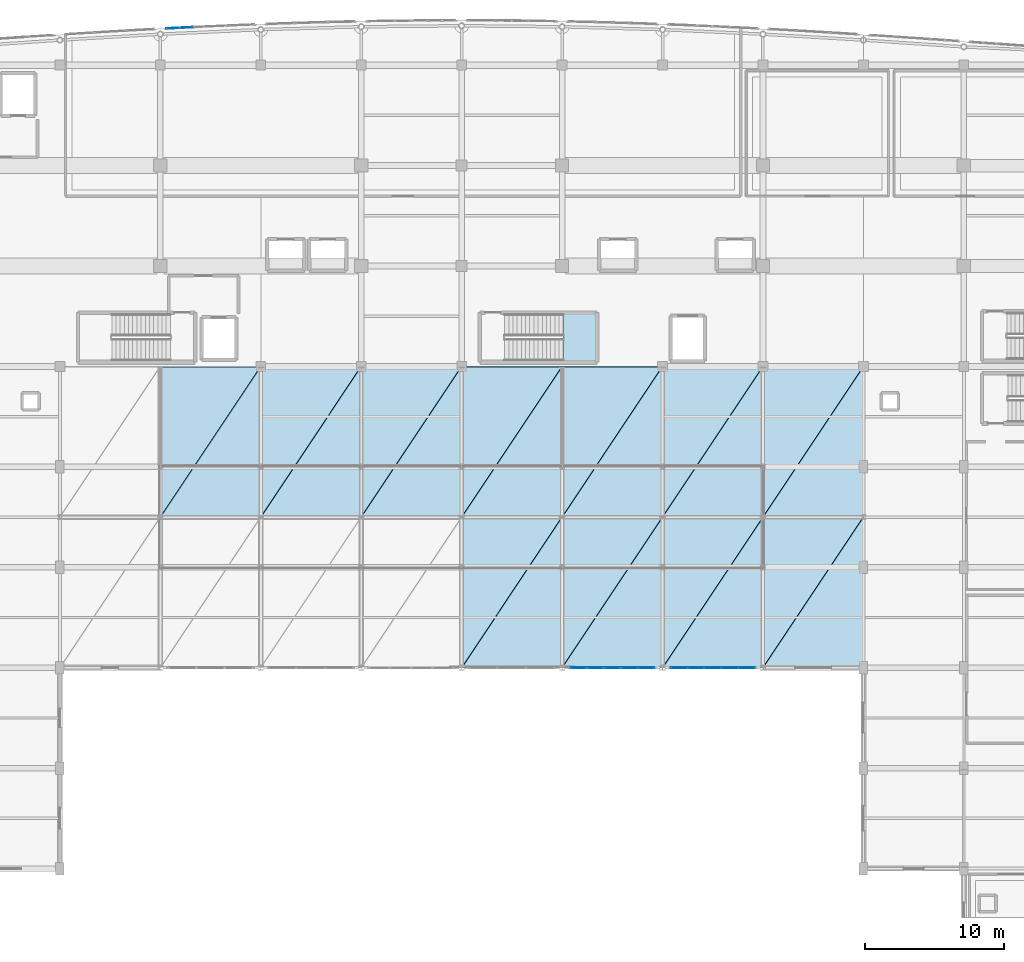
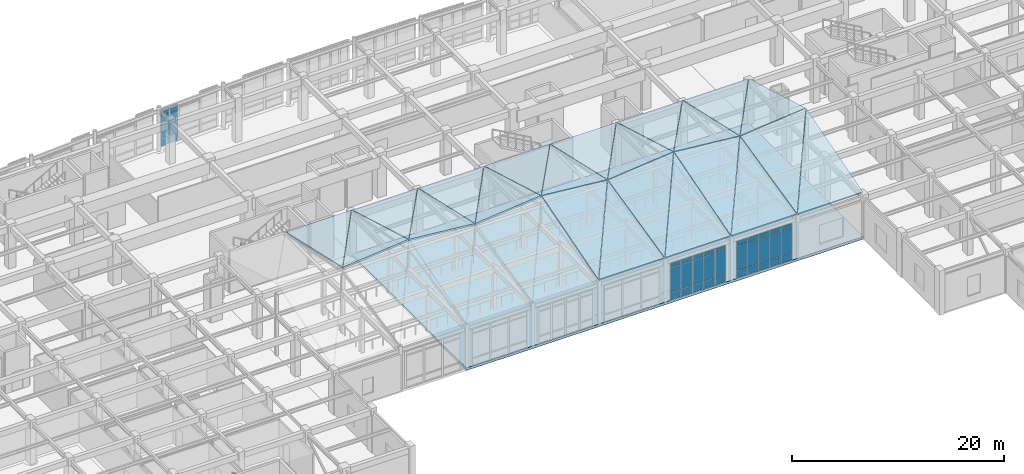
# One storey, part 74 of 117: 36 plates, 24 slabs, 4 elements without a shape of their own.
"""IFC4 building model written with IfcOpenShell, lengths in metres."""

import ifcopenshell
import ifcopenshell.guid

model = None  # the IFC model being written
_history = None  # IfcOwnerHistory: only IFC2X3 demands one
_inside = {}  # id of a spatial element -> (the spatial element, [elements in it])
_under = {}  # id of a project, library or spatial element -> (it, [spatial elements below it])
_declared = {}  # id of a project -> (the project, [libraries it declares])
_typed = {}  # id of a type object -> (the type object, [elements of that type])
_made_of = {}  # id of a material, layer set ... -> (it, [elements and type objects made of it])


def new_model(schema):
    """Start an empty IFC model of exactly this schema.

    Asked for "IFC4X3", IfcOpenShell would pick the latest addendum, in which some entities
    have other attributes; the version numbers below select the first issue.
    IFC2X3 requires an IfcOwnerHistory on every rooted entity: one is made here for all.
    """
    global model, _history
    if schema == "IFC4X3":
        model = ifcopenshell.file(schema_version=(4, 3, 0, 0))
    else:
        model = ifcopenshell.file(schema=schema)
    _inside.clear()
    _under.clear()
    _declared.clear()
    _typed.clear()
    _made_of.clear()
    _history = None
    if model.schema == "IFC2X3":
        org = make("IfcOrganization", Name="unknown")
        user = make(
            "IfcPersonAndOrganization",
            ThePerson=make("IfcPerson", FamilyName="unknown"),
            TheOrganization=org,
        )
        app = make(
            "IfcApplication",
            ApplicationDeveloper=org,
            Version="unknown",
            ApplicationFullName="unknown",
            ApplicationIdentifier="unknown",
        )
        _history = make(
            "IfcOwnerHistory",
            OwningUser=user,
            OwningApplication=app,
            ChangeAction="ADDED",
            CreationDate=0,
        )
    return model


def make(cls, **values):
    """One entity of the class cls with the attributes given. An attribute that is None is left unset."""
    return model.create_entity(
        cls, **{name: value for name, value in values.items() if value is not None}
    )


def rooted(cls, **values):
    """An entity with a GlobalId (a new one), such as an element, a storey or a relation."""
    return make(cls, GlobalId=ifcopenshell.guid.new(), OwnerHistory=_history, **values)


def si_unit(unit_type, name, prefix=None):
    """IfcSIUnit, for example si_unit("LENGTHUNIT", "METRE", prefix="MILLI")."""
    return make("IfcSIUnit", UnitType=unit_type, Prefix=prefix, Name=name)


def assignment(units):
    """IfcUnitAssignment: the units of a project."""
    return None if units is None else make("IfcUnitAssignment", Units=units)


def point(xyz):
    """IfcCartesianPoint."""
    return None if xyz is None else make("IfcCartesianPoint", Coordinates=xyz)


def direction(xyz):
    """IfcDirection."""
    return None if xyz is None else make("IfcDirection", DirectionRatios=xyz)


def frame(location, z_axis=None, x_axis=None):
    """IfcAxis2Placement3D, a coordinate frame: its origin and axes. An axis left out is left unset."""
    return make(
        "IfcAxis2Placement3D",
        Location=point(location),
        Axis=direction(z_axis),
        RefDirection=direction(x_axis),
    )


def frame_2d(location, x_axis=None):
    """IfcAxis2Placement2D, a coordinate frame in the plane: its origin and x axis."""
    return make(
        "IfcAxis2Placement2D", Location=point(location), RefDirection=direction(x_axis)
    )


def origin():
    """The frame at (0, 0, 0) with its axes left unset."""
    return frame((0.0, 0.0, 0.0))


def origin_2d():
    """The frame at (0, 0) in the plane with its x axis left unset."""
    return frame_2d((0.0, 0.0))


def place(relative_to, where):
    """IfcLocalPlacement: puts the frame where relative to a parent placement (None: the world)."""
    return make(
        "IfcLocalPlacement", PlacementRelTo=relative_to, RelativePlacement=where
    )


def context(
    kind, dimensions, precision=None, world=None, true_north=None, identifier=None
):
    """IfcGeometricRepresentationContext, for example the 3D "Model" context."""
    return make(
        "IfcGeometricRepresentationContext",
        ContextIdentifier=identifier,
        ContextType=kind,
        CoordinateSpaceDimension=dimensions,
        Precision=precision,
        WorldCoordinateSystem=world,
        TrueNorth=true_north,
    )


def subcontext(parent, identifier, kind, view, scale=None):
    """IfcGeometricRepresentationSubContext, for example "Body" below "Model"."""
    return make(
        "IfcGeometricRepresentationSubContext",
        ContextIdentifier=identifier,
        ContextType=kind,
        ParentContext=parent,
        TargetScale=scale,
        TargetView=view,
    )


def project(units=None, contexts=None):
    """IfcProject with its units and contexts."""
    return rooted(
        "IfcProject",
        Name="project",
        RepresentationContexts=contexts,
        UnitsInContext=assignment(units),
    )


def spatial(cls, under=None, at=None, **own):
    """A site, building, storey or space (cls), placed at a placement, below another one or the project."""
    s = rooted(cls, ObjectPlacement=at, **own)
    if under is not None:
        _under.setdefault(under.id(), (under, []))[1].append(s)
    return s


def polyline(points):
    """IfcPolyline through the points."""
    return make("IfcPolyline", Points=[point(p) for p in points])


def profile(cls, at=None, kind="AREA", **sizes):
    """A parametric profile (cls). Its sizes go by their IFC names, for example OverallWidth=200.0."""
    return make(cls, ProfileType=kind, Position=at, **sizes)


def rectangle(**sizes):
    """IfcRectangleProfileDef."""
    return profile("IfcRectangleProfileDef", **sizes)


def outline(outer, holes=None, kind="AREA"):
    """IfcArbitraryClosedProfileDef: a profile drawn as a closed curve; with holes, ...WithVoids."""
    if holes is None:
        return make("IfcArbitraryClosedProfileDef", ProfileType=kind, OuterCurve=outer)
    return make(
        "IfcArbitraryProfileDefWithVoids",
        ProfileType=kind,
        OuterCurve=outer,
        InnerCurves=holes,
    )


def extrude(swept, where, along, depth):
    """IfcExtrudedAreaSolid: the profile swept, set in the frame where, extruded along a direction by depth."""
    return make(
        "IfcExtrudedAreaSolid",
        SweptArea=swept,
        Position=where,
        ExtrudedDirection=direction(along),
        Depth=depth,
    )


def shape(context_of_items, identifier, shape_type, items):
    """IfcShapeRepresentation: the items that make up one representation, for example the "Body"."""
    return make(
        "IfcShapeRepresentation",
        ContextOfItems=context_of_items,
        RepresentationIdentifier=identifier,
        RepresentationType=shape_type,
        Items=items,
    )


def material(Name=None, Category=None):
    """IfcMaterial."""
    return make("IfcMaterial", Name=Name, Category=Category)


def layer(
    of_material, thickness, ventilated=None, Name=None, Category=None, Priority=None
):
    """IfcMaterialLayer: one layer of a wall or slab, of a material (None: an air gap)."""
    return make(
        "IfcMaterialLayer",
        Material=of_material,
        LayerThickness=thickness,
        IsVentilated=ventilated,
        Name=Name,
        Category=Category,
        Priority=Priority,
    )


def layer_set(layers, Name=None):
    """IfcMaterialLayerSet."""
    return make("IfcMaterialLayerSet", MaterialLayers=layers, LayerSetName=Name)


def made_of(thing, what):
    """Note that an element or type object is made of a material, layer set ...; save() writes the relation."""
    if what is not None:
        _made_of.setdefault(what.id(), (what, []))[1].append(thing)
    return thing


def type_object(cls, material=None, **own):
    """A type object (cls), such as IfcWallType, which elements share."""
    return made_of(rooted(cls, **own), material)


def element(
    cls,
    number,
    at=None,
    inside=None,
    cuts=None,
    type_object=None,
    material=None,
    context=None,
    identifier="Body",
    shape_type=None,
    held_by="IfcProductDefinitionShape",
    body=None,
    shapes=None,
    **own,
):
    """One element of the class cls, such as IfcWall. Its Tag is "e" and its number.

    at: its placement. inside: the storey or other place that contains it. cuts: it is an
    opening in that element (IfcRelVoidsElement). A single representation is given by context,
    identifier, shape_type and body (its items); several are given by shapes. held_by: the class
    of the entity that holds the representations. save() writes the other relations.
    """
    e = rooted(cls, Tag="e%d" % number, ObjectPlacement=at, **own)
    if body is not None:
        shapes = [shape(context, identifier, shape_type, body)]
    if shapes is not None:
        e.Representation = make(held_by, Representations=shapes)
    if inside is not None:
        _inside.setdefault(inside.id(), (inside, []))[1].append(e)
    if cuts is not None:
        rooted(
            "IfcRelVoidsElement", RelatingBuildingElement=cuts, RelatedOpeningElement=e
        )
    if type_object is not None:
        _typed.setdefault(type_object.id(), (type_object, []))[1].append(e)
    return made_of(e, material)


def aggregate(whole, parts):
    """IfcRelAggregates: a whole, such as a stair, and the parts it consists of."""
    return rooted("IfcRelAggregates", RelatingObject=whole, RelatedObjects=parts)


def save(model, path):
    """Write the relations noted so far, then the file.

    IfcRelAggregates (storeys below a building ...), IfcRelContainedInSpatialStructure (elements
    in a storey), IfcRelDefinesByType, IfcRelAssociatesMaterial and IfcRelDeclares: one each for
    every whole, place, type object, material and project.
    """
    for whole, parts in _under.values():
        aggregate(whole, parts)
    for where, things in _inside.values():
        rooted(
            "IfcRelContainedInSpatialStructure",
            RelatedElements=things,
            RelatingStructure=where,
        )
    for kind, things in _typed.values():
        rooted("IfcRelDefinesByType", RelatedObjects=things, RelatingType=kind)
    for what, things in _made_of.values():
        rooted("IfcRelAssociatesMaterial", RelatedObjects=things, RelatingMaterial=what)
    for by, libraries in _declared.values():
        rooted("IfcRelDeclares", RelatingContext=by, RelatedDefinitions=libraries)
    model.write(path)


model = new_model("IFC4")

# Units and contexts
model_context = context("Model", 3, precision=1e-05, world=origin(), true_north=direction((0.0, 1.0)))
body_context = subcontext(model_context, "Body", "Model", "MODEL_VIEW")
ifc_project = project(units=[si_unit("LENGTHUNIT", "METRE"), si_unit("AREAUNIT", "SQUARE_METRE"), si_unit("VOLUMEUNIT", "CUBIC_METRE"), si_unit("PLANEANGLEUNIT", "RADIAN"), si_unit("MASSUNIT", "GRAM", prefix="KILO")], contexts=[model_context])

# Site, building, storey
site_placement = place(None, origin())
site = spatial("IfcSite", under=ifc_project, at=site_placement, CompositionType="ELEMENT")
building_placement = place(site_placement, origin())
building = spatial("IfcBuilding", under=site, at=building_placement, Name="Carrowvane Square Congress Hotel", CompositionType="ELEMENT")
storey_placement = place(building_placement, frame((0.0, 0.0, 5.39990234375)))
storey = spatial("IfcBuildingStorey", under=building, at=storey_placement, Name="L01", CompositionType="ELEMENT", Elevation=5.39990234375)

# Curtain wall, plates
ifc_material_1 = material(Name="Anodised aluminium", Category="aluminium")
ifc_layer_1 = layer(ifc_material_1, 0.23388671875)
ifc_layer_set_1 = layer_set([ifc_layer_1], Name="Anodised aluminium")
curtain_wall_type_1 = type_object("IfcCurtainWallType", Name="CW-SYS-7", PredefinedType="NOTDEFINED", material=ifc_layer_set_1)
curtain_wall_1_placement = place(storey_placement, origin())
curtain_wall_1 = element("IfcCurtainWall", 1, at=curtain_wall_1_placement, inside=storey, type_object=curtain_wall_type_1, Name="L01 unitised curtain wall 118", PredefinedType="NOTDEFINED")
ifc_material_2 = material(Name="Double-glazed low-E glass", Category="glass")
ifc_layer_2 = layer(ifc_material_2, 0.0419921875)
ifc_layer_set_2 = layer_set([ifc_layer_2], Name="Double-glazed low-E glass")
plate_type_1 = type_object("IfcPlateType", Name="CW-PAN-4", PredefinedType="CURTAIN_PANEL", material=ifc_layer_set_2)
plate_1_placement = place(storey_placement, frame((118.43310546875, 70.199951171875, 0.06005859375), z_axis=(0.0, 0.0, 1.0), x_axis=(-1.0, 0.0, 0.0)))
plate_1 = element("IfcPlate", 2, at=plate_1_placement, type_object=plate_type_1, Name="CW-7 panel 1.1", PredefinedType="CURTAIN_PANEL", context=body_context, shape_type="SweptSolid", body=[
    extrude(rectangle(XDim=1.134033203125, YDim=0.0419921875, at=origin_2d()), origin(), (0.0, 0.0, 1.0), 0.81005859375),
])
plate_2_placement = place(storey_placement, frame((118.43310546875, 70.199951171875, 0.93017578125), z_axis=(0.0, 0.0, 1.0), x_axis=(-1.0, 0.0, 0.0)))
plate_2 = element("IfcPlate", 3, at=plate_2_placement, type_object=plate_type_1, Name="CW-7 panel 1.2", PredefinedType="CURTAIN_PANEL", context=body_context, shape_type="SweptSolid", body=[
    extrude(rectangle(XDim=1.134033203125, YDim=0.0419921875, at=origin_2d()), origin(), (0.0, 0.0, 1.0), 2.794921875),
])
plate_3_placement = place(storey_placement, frame((118.43310546875, 70.199951171875, 3.78515625), z_axis=(0.0, 0.0, 1.0), x_axis=(-1.0, 0.0, 0.0)))
plate_3 = element("IfcPlate", 4, at=plate_3_placement, type_object=plate_type_1, Name="CW-7 panel 1.3", PredefinedType="CURTAIN_PANEL", context=body_context, shape_type="SweptSolid", body=[
    extrude(rectangle(XDim=1.134033203125, YDim=0.0419921875, at=origin_2d()), origin(), (0.0, 0.0, 1.0), 0.4599609375),
])
plate_4_placement = place(storey_placement, frame((117.22412109375, 70.199951171875, 0.06005859375), z_axis=(0.0, 0.0, 1.0), x_axis=(-1.0, 0.0, 0.0)))
plate_4 = element("IfcPlate", 5, at=plate_4_placement, type_object=plate_type_1, Name="CW-7 panel 2.1", PredefinedType="CURTAIN_PANEL", context=body_context, shape_type="SweptSolid", body=[
    extrude(rectangle(XDim=1.1640625, YDim=0.0419921875, at=origin_2d()), origin(), (0.0, 0.0, 1.0), 0.81005859375),
])
plate_5_placement = place(storey_placement, frame((117.22412109375, 70.199951171875, 0.93017578125), z_axis=(0.0, 0.0, 1.0), x_axis=(-1.0, 0.0, 0.0)))
plate_5 = element("IfcPlate", 6, at=plate_5_placement, type_object=plate_type_1, Name="CW-7 panel 2.2", PredefinedType="CURTAIN_PANEL", context=body_context, shape_type="SweptSolid", body=[
    extrude(rectangle(XDim=1.1640625, YDim=0.0419921875, at=origin_2d()), origin(), (0.0, 0.0, 1.0), 2.794921875),
])
plate_6_placement = place(storey_placement, frame((117.22412109375, 70.199951171875, 3.78515625), z_axis=(0.0, 0.0, 1.0), x_axis=(-1.0, 0.0, 0.0)))
plate_6 = element("IfcPlate", 7, at=plate_6_placement, type_object=plate_type_1, Name="CW-7 panel 2.3", PredefinedType="CURTAIN_PANEL", context=body_context, shape_type="SweptSolid", body=[
    extrude(rectangle(XDim=1.1640625, YDim=0.0419921875, at=origin_2d()), origin(), (0.0, 0.0, 1.0), 0.4599609375),
])
plate_7_placement = place(storey_placement, frame((116.0, 70.199951171875, 0.06005859375), z_axis=(0.0, 0.0, 1.0), x_axis=(-1.0, 0.0, 0.0)))
plate_7 = element("IfcPlate", 8, at=plate_7_placement, type_object=plate_type_1, Name="CW-7 panel 3.1", PredefinedType="CURTAIN_PANEL", context=body_context, shape_type="SweptSolid", body=[
    extrude(rectangle(XDim=1.1640625, YDim=0.0419921875, at=origin_2d()), origin(), (0.0, 0.0, 1.0), 0.81005859375),
])
plate_8_placement = place(storey_placement, frame((116.0, 70.199951171875, 0.93017578125), z_axis=(0.0, 0.0, 1.0), x_axis=(-1.0, 0.0, 0.0)))
plate_8 = element("IfcPlate", 9, at=plate_8_placement, type_object=plate_type_1, Name="CW-7 panel 3.2", PredefinedType="CURTAIN_PANEL", context=body_context, shape_type="SweptSolid", body=[
    extrude(rectangle(XDim=1.1640625, YDim=0.0419921875, at=origin_2d()), origin(), (0.0, 0.0, 1.0), 2.794921875),
])
plate_9_placement = place(storey_placement, frame((116.0, 70.199951171875, 3.78515625), z_axis=(0.0, 0.0, 1.0), x_axis=(-1.0, 0.0, 0.0)))
plate_9 = element("IfcPlate", 10, at=plate_9_placement, type_object=plate_type_1, Name="CW-7 panel 3.3", PredefinedType="CURTAIN_PANEL", context=body_context, shape_type="SweptSolid", body=[
    extrude(rectangle(XDim=1.1640625, YDim=0.0419921875, at=origin_2d()), origin(), (0.0, 0.0, 1.0), 0.4599609375),
])
plate_10_placement = place(storey_placement, frame((114.77587890625, 70.199951171875, 0.06005859375), z_axis=(0.0, 0.0, 1.0), x_axis=(-1.0, 0.0, 0.0)))
plate_10 = element("IfcPlate", 11, at=plate_10_placement, type_object=plate_type_1, Name="CW-7 panel 4.1", PredefinedType="CURTAIN_PANEL", context=body_context, shape_type="SweptSolid", body=[
    extrude(rectangle(XDim=1.1640625, YDim=0.0419921875, at=origin_2d()), origin(), (0.0, 0.0, 1.0), 0.81005859375),
])
plate_11_placement = place(storey_placement, frame((114.77587890625, 70.199951171875, 0.93017578125), z_axis=(0.0, 0.0, 1.0), x_axis=(-1.0, 0.0, 0.0)))
plate_11 = element("IfcPlate", 12, at=plate_11_placement, type_object=plate_type_1, Name="CW-7 panel 4.2", PredefinedType="CURTAIN_PANEL", context=body_context, shape_type="SweptSolid", body=[
    extrude(rectangle(XDim=1.1640625, YDim=0.0419921875, at=origin_2d()), origin(), (0.0, 0.0, 1.0), 2.794921875),
])
plate_12_placement = place(storey_placement, frame((114.77587890625, 70.199951171875, 3.78515625), z_axis=(0.0, 0.0, 1.0), x_axis=(-1.0, 0.0, 0.0)))
plate_12 = element("IfcPlate", 13, at=plate_12_placement, type_object=plate_type_1, Name="CW-7 panel 4.3", PredefinedType="CURTAIN_PANEL", context=body_context, shape_type="SweptSolid", body=[
    extrude(rectangle(XDim=1.1640625, YDim=0.0419921875, at=origin_2d()), origin(), (0.0, 0.0, 1.0), 0.4599609375),
])
plate_13_placement = place(storey_placement, frame((113.56689453125, 70.199951171875, 0.06005859375), z_axis=(0.0, 0.0, 1.0), x_axis=(-1.0, 0.0, 0.0)))
plate_13 = element("IfcPlate", 14, at=plate_13_placement, type_object=plate_type_1, Name="CW-7 panel 5.1", PredefinedType="CURTAIN_PANEL", context=body_context, shape_type="SweptSolid", body=[
    extrude(rectangle(XDim=1.134033203125, YDim=0.0419921875, at=origin_2d()), origin(), (0.0, 0.0, 1.0), 0.81005859375),
])
plate_14_placement = place(storey_placement, frame((113.56689453125, 70.199951171875, 0.93017578125), z_axis=(0.0, 0.0, 1.0), x_axis=(-1.0, 0.0, 0.0)))
plate_14 = element("IfcPlate", 15, at=plate_14_placement, type_object=plate_type_1, Name="CW-7 panel 5.2", PredefinedType="CURTAIN_PANEL", context=body_context, shape_type="SweptSolid", body=[
    extrude(rectangle(XDim=1.134033203125, YDim=0.0419921875, at=origin_2d()), origin(), (0.0, 0.0, 1.0), 2.794921875),
])
plate_15_placement = place(storey_placement, frame((113.56689453125, 70.199951171875, 3.78515625), z_axis=(0.0, 0.0, 1.0), x_axis=(-1.0, 0.0, 0.0)))
plate_15 = element("IfcPlate", 16, at=plate_15_placement, type_object=plate_type_1, Name="CW-7 panel 5.3", PredefinedType="CURTAIN_PANEL", context=body_context, shape_type="SweptSolid", body=[
    extrude(rectangle(XDim=1.134033203125, YDim=0.0419921875, at=origin_2d()), origin(), (0.0, 0.0, 1.0), 0.4599609375),
])
aggregate(curtain_wall_1, [plate_1, plate_2, plate_3, plate_4, plate_5, plate_6, plate_7, plate_8, plate_9, plate_10, plate_11, plate_12, plate_13, plate_14, plate_15])

ifc_material_3 = material(Name="Anodised aluminium", Category="aluminium")
ifc_layer_3 = layer(ifc_material_3, 0.24609375)
ifc_layer_set_3 = layer_set([ifc_layer_3], Name="Anodised aluminium")
curtain_wall_type_2 = type_object("IfcCurtainWallType", Name="CW-SYS-8", PredefinedType="NOTDEFINED", material=ifc_layer_set_3)
curtain_wall_2_placement = place(storey_placement, origin())
curtain_wall_2 = element("IfcCurtainWall", 17, at=curtain_wall_2_placement, inside=storey, type_object=curtain_wall_type_2, Name="L01 unitised curtain wall 79", PredefinedType="NOTDEFINED")
ifc_material_4 = material(Name="Double-glazed low-E glass", Category="glass")
ifc_layer_4 = layer(ifc_material_4, 0.048095703125)
ifc_layer_set_4 = layer_set([ifc_layer_4], Name="Double-glazed low-E glass")
plate_type_2 = type_object("IfcPlateType", Name="CW-PAN-5", PredefinedType="CURTAIN_PANEL", material=ifc_layer_set_4)
plate_16_placement = place(storey_placement, frame((77.290771484375, 116.04248046875, 0.070068359375), z_axis=(0.0, 0.0, 1.0), x_axis=(0.998732955299, 0.050323791596, 0.0)))
plate_16 = element("IfcPlate", 18, at=plate_16_placement, type_object=plate_type_2, Name="CW-8 panel 1.1", PredefinedType="CURTAIN_PANEL", context=body_context, shape_type="SweptSolid", body=[
    extrude(rectangle(XDim=0.9140625, YDim=0.048095703125, at=origin_2d()), origin(), (0.0, 0.0, 1.0), 0.794921875),
])
plate_17_placement = place(storey_placement, frame((77.290771484375, 116.04248046875, 0.93505859375), z_axis=(0.0, 0.0, 1.0), x_axis=(0.998732955299, 0.050323791596, 0.0)))
plate_17 = element("IfcPlate", 19, at=plate_17_placement, type_object=plate_type_2, Name="CW-8 panel 1.2", PredefinedType="CURTAIN_PANEL", context=body_context, shape_type="SweptSolid", body=[
    extrude(rectangle(XDim=0.9140625, YDim=0.048095703125, at=origin_2d()), origin(), (0.0, 0.0, 1.0), 2.835693359375),
])
plate_18_placement = place(storey_placement, frame((77.290771484375, 116.04248046875, 3.8408203125), z_axis=(0.0, 0.0, 1.0), x_axis=(0.998732955299, 0.050323791596, 0.0)))
plate_18 = element("IfcPlate", 20, at=plate_18_placement, type_object=plate_type_2, Name="CW-8 panel 1.3", PredefinedType="CURTAIN_PANEL", context=body_context, shape_type="SweptSolid", body=[
    extrude(rectangle(XDim=0.9140625, YDim=0.048095703125, at=origin_2d()), origin(), (0.0, 0.0, 1.0), 0.445068359375),
])
plate_19_placement = place(storey_placement, frame((78.273681640625, 116.092041015625, 0.070068359375), z_axis=(0.0, 0.0, 1.0), x_axis=(0.998732955299, 0.050323791596, 0.0)))
plate_19 = element("IfcPlate", 21, at=plate_19_placement, type_object=plate_type_2, Name="CW-8 panel 2.1", PredefinedType="CURTAIN_PANEL", context=body_context, shape_type="SweptSolid", body=[
    extrude(rectangle(XDim=0.9140625, YDim=0.048095703125, at=origin_2d()), origin(), (0.0, 0.0, 1.0), 0.794921875),
])
plate_20_placement = place(storey_placement, frame((78.273681640625, 116.092041015625, 0.93505859375), z_axis=(0.0, 0.0, 1.0), x_axis=(0.998732955299, 0.050323791596, 0.0)))
plate_20 = element("IfcPlate", 22, at=plate_20_placement, type_object=plate_type_2, Name="CW-8 panel 2.2", PredefinedType="CURTAIN_PANEL", context=body_context, shape_type="SweptSolid", body=[
    extrude(rectangle(XDim=0.9140625, YDim=0.048095703125, at=origin_2d()), origin(), (0.0, 0.0, 1.0), 2.835693359375),
])
plate_21_placement = place(storey_placement, frame((78.273681640625, 116.092041015625, 3.8408203125), z_axis=(0.0, 0.0, 1.0), x_axis=(0.998732955299, 0.050323791596, 0.0)))
plate_21 = element("IfcPlate", 23, at=plate_21_placement, type_object=plate_type_2, Name="CW-8 panel 2.3", PredefinedType="CURTAIN_PANEL", context=body_context, shape_type="SweptSolid", body=[
    extrude(rectangle(XDim=0.9140625, YDim=0.048095703125, at=origin_2d()), origin(), (0.0, 0.0, 1.0), 0.445068359375),
])
aggregate(curtain_wall_2, [plate_16, plate_17, plate_18, plate_19, plate_20, plate_21])

curtain_wall_3_placement = place(storey_placement, origin())
curtain_wall_3 = element("IfcCurtainWall", 24, at=curtain_wall_3_placement, inside=storey, type_object=curtain_wall_type_2, Name="L01 unitised curtain wall 119", PredefinedType="NOTDEFINED")
plate_22_placement = place(storey_placement, frame((111.23046875, 70.199951171875, 0.070068359375), z_axis=(0.0, 0.0, 1.0), x_axis=(-1.0, 0.0, 0.0)))
plate_22 = element("IfcPlate", 25, at=plate_22_placement, type_object=plate_type_2, Name="CW-8 panel 1.1", PredefinedType="CURTAIN_PANEL", context=body_context, shape_type="SweptSolid", body=[
    extrude(rectangle(XDim=1.118896484375, YDim=0.048095703125, at=origin_2d()), origin(), (0.0, 0.0, 1.0), 0.794921875),
])
plate_23_placement = place(storey_placement, frame((111.23046875, 70.199951171875, 0.93505859375), z_axis=(0.0, 0.0, 1.0), x_axis=(-1.0, 0.0, 0.0)))
plate_23 = element("IfcPlate", 26, at=plate_23_placement, type_object=plate_type_2, Name="CW-8 panel 1.2", PredefinedType="CURTAIN_PANEL", context=body_context, shape_type="SweptSolid", body=[
    extrude(rectangle(XDim=1.118896484375, YDim=0.048095703125, at=origin_2d()), origin(), (0.0, 0.0, 1.0), 2.784912109375),
])
plate_24_placement = place(storey_placement, frame((111.23046875, 70.199951171875, 3.7900390625), z_axis=(0.0, 0.0, 1.0), x_axis=(-1.0, 0.0, 0.0)))
plate_24 = element("IfcPlate", 27, at=plate_24_placement, type_object=plate_type_2, Name="CW-8 panel 1.3", PredefinedType="CURTAIN_PANEL", context=body_context, shape_type="SweptSolid", body=[
    extrude(rectangle(XDim=1.118896484375, YDim=0.048095703125, at=origin_2d()), origin(), (0.0, 0.0, 1.0), 0.445068359375),
])
plate_25_placement = place(storey_placement, frame((110.02392578125, 70.199951171875, 0.070068359375), z_axis=(0.0, 0.0, 1.0), x_axis=(-1.0, 0.0, 0.0)))
plate_25 = element("IfcPlate", 28, at=plate_25_placement, type_object=plate_type_2, Name="CW-8 panel 2.1", PredefinedType="CURTAIN_PANEL", context=body_context, shape_type="SweptSolid", body=[
    extrude(rectangle(XDim=1.154052734375, YDim=0.048095703125, at=origin_2d()), origin(), (0.0, 0.0, 1.0), 0.794921875),
])
plate_26_placement = place(storey_placement, frame((110.02392578125, 70.199951171875, 0.93505859375), z_axis=(0.0, 0.0, 1.0), x_axis=(-1.0, 0.0, 0.0)))
plate_26 = element("IfcPlate", 29, at=plate_26_placement, type_object=plate_type_2, Name="CW-8 panel 2.2", PredefinedType="CURTAIN_PANEL", context=body_context, shape_type="SweptSolid", body=[
    extrude(rectangle(XDim=1.154052734375, YDim=0.048095703125, at=origin_2d()), origin(), (0.0, 0.0, 1.0), 2.784912109375),
])
plate_27_placement = place(storey_placement, frame((110.02392578125, 70.199951171875, 3.7900390625), z_axis=(0.0, 0.0, 1.0), x_axis=(-1.0, 0.0, 0.0)))
plate_27 = element("IfcPlate", 30, at=plate_27_placement, type_object=plate_type_2, Name="CW-8 panel 2.3", PredefinedType="CURTAIN_PANEL", context=body_context, shape_type="SweptSolid", body=[
    extrude(rectangle(XDim=1.154052734375, YDim=0.048095703125, at=origin_2d()), origin(), (0.0, 0.0, 1.0), 0.445068359375),
])
plate_28_placement = place(storey_placement, frame((108.800048828125, 70.199951171875, 0.070068359375), z_axis=(0.0, 0.0, 1.0), x_axis=(-1.0, 0.0, 0.0)))
plate_28 = element("IfcPlate", 31, at=plate_28_placement, type_object=plate_type_2, Name="CW-8 panel 3.1", PredefinedType="CURTAIN_PANEL", context=body_context, shape_type="SweptSolid", body=[
    extrude(rectangle(XDim=1.154052734375, YDim=0.048095703125, at=origin_2d()), origin(), (0.0, 0.0, 1.0), 0.794921875),
])
plate_29_placement = place(storey_placement, frame((108.800048828125, 70.199951171875, 0.93505859375), z_axis=(0.0, 0.0, 1.0), x_axis=(-1.0, 0.0, 0.0)))
plate_29 = element("IfcPlate", 32, at=plate_29_placement, type_object=plate_type_2, Name="CW-8 panel 3.2", PredefinedType="CURTAIN_PANEL", context=body_context, shape_type="SweptSolid", body=[
    extrude(rectangle(XDim=1.154052734375, YDim=0.048095703125, at=origin_2d()), origin(), (0.0, 0.0, 1.0), 2.784912109375),
])
plate_30_placement = place(storey_placement, frame((108.800048828125, 70.199951171875, 3.7900390625), z_axis=(0.0, 0.0, 1.0), x_axis=(-1.0, 0.0, 0.0)))
plate_30 = element("IfcPlate", 33, at=plate_30_placement, type_object=plate_type_2, Name="CW-8 panel 3.3", PredefinedType="CURTAIN_PANEL", context=body_context, shape_type="SweptSolid", body=[
    extrude(rectangle(XDim=1.154052734375, YDim=0.048095703125, at=origin_2d()), origin(), (0.0, 0.0, 1.0), 0.445068359375),
])
plate_31_placement = place(storey_placement, frame((107.575927734375, 70.199951171875, 0.070068359375), z_axis=(0.0, 0.0, 1.0), x_axis=(-1.0, 0.0, 0.0)))
plate_31 = element("IfcPlate", 34, at=plate_31_placement, type_object=plate_type_2, Name="CW-8 panel 4.1", PredefinedType="CURTAIN_PANEL", context=body_context, shape_type="SweptSolid", body=[
    extrude(rectangle(XDim=1.154052734375, YDim=0.048095703125, at=origin_2d()), origin(), (0.0, 0.0, 1.0), 0.794921875),
])
plate_32_placement = place(storey_placement, frame((107.575927734375, 70.199951171875, 0.93505859375), z_axis=(0.0, 0.0, 1.0), x_axis=(-1.0, 0.0, 0.0)))
plate_32 = element("IfcPlate", 35, at=plate_32_placement, type_object=plate_type_2, Name="CW-8 panel 4.2", PredefinedType="CURTAIN_PANEL", context=body_context, shape_type="SweptSolid", body=[
    extrude(rectangle(XDim=1.154052734375, YDim=0.048095703125, at=origin_2d()), origin(), (0.0, 0.0, 1.0), 2.784912109375),
])
plate_33_placement = place(storey_placement, frame((107.575927734375, 70.199951171875, 3.7900390625), z_axis=(0.0, 0.0, 1.0), x_axis=(-1.0, 0.0, 0.0)))
plate_33 = element("IfcPlate", 36, at=plate_33_placement, type_object=plate_type_2, Name="CW-8 panel 4.3", PredefinedType="CURTAIN_PANEL", context=body_context, shape_type="SweptSolid", body=[
    extrude(rectangle(XDim=1.154052734375, YDim=0.048095703125, at=origin_2d()), origin(), (0.0, 0.0, 1.0), 0.445068359375),
])
plate_34_placement = place(storey_placement, frame((106.369384765625, 70.199951171875, 0.070068359375), z_axis=(0.0, 0.0, 1.0), x_axis=(-1.0, 0.0, 0.0)))
plate_34 = element("IfcPlate", 37, at=plate_34_placement, type_object=plate_type_2, Name="CW-8 panel 5.1", PredefinedType="CURTAIN_PANEL", context=body_context, shape_type="SweptSolid", body=[
    extrude(rectangle(XDim=1.118896484375, YDim=0.048095703125, at=origin_2d()), origin(), (0.0, 0.0, 1.0), 0.794921875),
])
plate_35_placement = place(storey_placement, frame((106.369384765625, 70.199951171875, 0.93505859375), z_axis=(0.0, 0.0, 1.0), x_axis=(-1.0, 0.0, 0.0)))
plate_35 = element("IfcPlate", 38, at=plate_35_placement, type_object=plate_type_2, Name="CW-8 panel 5.2", PredefinedType="CURTAIN_PANEL", context=body_context, shape_type="SweptSolid", body=[
    extrude(rectangle(XDim=1.118896484375, YDim=0.048095703125, at=origin_2d()), origin(), (0.0, 0.0, 1.0), 2.784912109375),
])
plate_36_placement = place(storey_placement, frame((106.369384765625, 70.199951171875, 3.7900390625), z_axis=(0.0, 0.0, 1.0), x_axis=(-1.0, 0.0, 0.0)))
plate_36 = element("IfcPlate", 39, at=plate_36_placement, type_object=plate_type_2, Name="CW-8 panel 5.3", PredefinedType="CURTAIN_PANEL", context=body_context, shape_type="SweptSolid", body=[
    extrude(rectangle(XDim=1.118896484375, YDim=0.048095703125, at=origin_2d()), origin(), (0.0, 0.0, 1.0), 0.445068359375),
])
aggregate(curtain_wall_3, [plate_22, plate_23, plate_24, plate_25, plate_26, plate_27, plate_28, plate_29, plate_30, plate_31, plate_32, plate_33, plate_34, plate_35, plate_36])

# Slab
ifc_material_5 = material(Name="Concrete C35/45", Category="concrete")
ifc_layer_5 = layer(ifc_material_5, 0.300048828125)
ifc_layer_set_5 = layer_set([ifc_layer_5], Name="Concrete C35/45")
slab_type_1 = type_object("IfcSlabType", Name="SLB-FLR-300", PredefinedType="FLOOR", material=ifc_layer_set_5)
slab_1_placement = place(storey_placement, frame((0.0, 0.0, -0.2998046875)))
element("IfcSlab", 40, at=slab_1_placement, inside=storey, type_object=slab_type_1, Name="L01 V6 structural slab panel 2", PredefinedType="FLOOR", context=body_context, shape_type="SweptSolid", body=[
    extrude(outline(polyline([(83.60009765625, 70.199951171875), (126.800048828125, 70.199951171875), (126.800048828125, 91.800048828125), (83.60009765625, 91.800048828125), (83.60009765625, 70.199951171875)])), origin(), (0.0, 0.0, 1.0), 0.2998046875),
])

# Stair, slab
ifc_material_6 = material(Name="Concrete C35/45", Category="concrete")
stair_type = type_object("IfcStairType", Name="STR-DOG-03", PredefinedType="HALF_TURN_STAIR", material=ifc_material_6)
stair_placement = place(storey_placement, origin())
stair = element("IfcStair", 41, at=stair_placement, inside=storey, type_object=stair_type, Name="L01 Core C3 East Hotel Escape Stair", PredefinedType="HALF_TURN_STAIR")
ifc_material_7 = material(Name="Concrete C35/45", Category="concrete")
ifc_layer_6 = layer(ifc_material_7, 0.199951171875)
ifc_layer_set_6 = layer_set([ifc_layer_6], Name="Concrete C35/45")
slab_type_2 = type_object("IfcSlabType", Name="SLB-LND-200", PredefinedType="LANDING", material=ifc_layer_set_6)
slab_2_placement = place(storey_placement, frame((0.0, 0.0, 2.35009765625)))
slab_2 = element("IfcSlab", 42, at=slab_2_placement, type_object=slab_type_2, Name="ST3 landing 1", PredefinedType="LANDING", context=body_context, shape_type="SweptSolid", body=[
    extrude(outline(polyline([(105.280029296875, 92.199951171875), (107.60009765625, 92.199951171875), (107.60009765625, 95.56005859375), (105.280029296875, 95.56005859375), (105.280029296875, 92.199951171875)])), origin(), (0.0, 0.0, 1.0), 0.199951171875),
])
aggregate(stair, [slab_2])

# Slabs
ifc_material_8 = material(Name="Concrete C35/45", Category="concrete")
ifc_layer_7 = layer(ifc_material_8, 0.179931640625)
ifc_layer_set_7 = layer_set([ifc_layer_7], Name="Concrete C35/45")
slab_type_3 = type_object("IfcSlabType", Name="SLB-ROOF-180", PredefinedType="ROOF", material=ifc_layer_set_7)
slab_3_placement = place(storey_placement, frame((76.43994140625, 81.030029296875, 7.540771484375), z_axis=(-0.092953598408, 0.278435749752, 0.955946212819), x_axis=(0.995349264234, 0.001601335504, 0.096318627028)))
element("IfcSlab", 43, at=slab_3_placement, inside=storey, type_object=slab_type_3, Name="Public passage folded triangle roof 7", PredefinedType="ROOF", context=body_context, shape_type="SweptSolid", body=[
    extrude(outline(polyline([(0.0, 0.0), (7.165649762383259, 0.0), (6.8943249002906875, 11.152664726853487), (0.0, 0.0)])), origin(), (0.0, 0.0, -1.0), 0.179931640625),
])
slab_4_placement = place(storey_placement, frame((76.415771484375, 81.04736328125, 7.534912109375), z_axis=(4.383161e-06, 0.220840809728, 0.975309867037), x_axis=(0.544887341362, 0.817805831002, -0.18517939411)))
element("IfcSlab", 44, at=slab_4_placement, inside=storey, type_object=slab_type_3, Name="Public passage folded triangle roof 8", PredefinedType="ROOF", context=body_context, shape_type="SweptSolid", body=[
    extrude(outline(polyline([(0.0, 0.0), (13.111494004467318, -1.6653345369377348e-15), (9.21509985315724, 5.9739690257205025), (0.0, 0.0)])), origin(), (0.0, 0.0, -1.0), 0.179931640625),
])
slab_5_placement = place(storey_placement, frame((83.639892578125, 81.030029296875, 8.235107421875), z_axis=(0.094401415205, 0.21987583827, 0.970949529354), x_axis=(0.995270547048, 0.001601208863, -0.097128648238)))
element("IfcSlab", 45, at=slab_5_placement, inside=storey, type_object=slab_type_3, Name="Public passage folded triangle roof 11", PredefinedType="ROOF", context=body_context, shape_type="SweptSolid", body=[
    extrude(outline(polyline([(0.0, 0.0), (7.166216502541358, -5.551115123125783e-17), (7.430981360139511, 10.97946302420683), (0.0, 0.0)])), origin(), (0.0, 0.0, -1.0), 0.179931640625),
])
slab_6_placement = place(storey_placement, frame((83.61572265625, 81.04736328125, 8.23193359375), z_axis=(6.47225e-07, 0.279636945866, 0.960105816307), x_axis=(0.53887370969, 0.80878014317, -0.235562741153)))
element("IfcSlab", 46, at=slab_6_placement, inside=storey, type_object=slab_type_3, Name="Public passage folded triangle roof 12", PredefinedType="ROOF", context=body_context, shape_type="SweptSolid", body=[
    extrude(outline(polyline([(0.0, 0.0), (13.257813437376962, 2.7755575615628914e-16), (9.404108388517836, 6.0015960518329985), (0.0, 0.0)])), origin(), (0.0, 0.0, -1.0), 0.179931640625),
])
slab_7_placement = place(storey_placement, frame((90.840087890625, 81.030029296875, 7.540771484375), z_axis=(-0.092956752753, 0.278435670675, 0.955945929126), x_axis=(0.995348948045, 0.001601389811, 0.096321893545)))
element("IfcSlab", 47, at=slab_7_placement, inside=storey, type_object=slab_type_3, Name="Public passage folded triangle roof 15", PredefinedType="ROOF", context=body_context, shape_type="SweptSolid", body=[
    extrude(outline(polyline([(0.0, 0.0), (7.165406757230392, 0.0), (6.894072285918202, 11.15266449307381), (0.0, 0.0)])), origin(), (0.0, 0.0, -1.0), 0.179931640625),
])
slab_8_placement = place(storey_placement, frame((90.81591796875, 81.04736328125, 7.534912109375), z_axis=(4.383161e-06, 0.220840809823, 0.975309867015), x_axis=(0.544874249235, 0.817814128439, -0.185181272936)))
element("IfcSlab", 48, at=slab_8_placement, inside=storey, type_object=slab_type_3, Name="Public passage folded triangle roof 16", PredefinedType="ROOF", context=body_context, shape_type="SweptSolid", body=[
    extrude(outline(polyline([(0.0, 0.0), (13.111360976929396, -1.5543122344752192e-15), (9.215060100632789, 5.974029861324904), (0.0, 0.0)])), origin(), (0.0, 0.0, -1.0), 0.179931640625),
])
slab_9_placement = place(storey_placement, frame((98.0400390625, 70.22998046875, 5.10693359375), z_axis=(-4.383161e-06, -0.220840809823, 0.975309867015), x_axis=(0.999998579312, 0.00164304552, 0.000376531265)))
element("IfcSlab", 49, at=slab_9_placement, inside=storey, type_object=slab_type_3, Name="Public passage folded triangle roof 17", PredefinedType="ROOF", context=body_context, shape_type="SweptSolid", body=[
    extrude(outline(polyline([(0.0, 0.0), (7.13233435157322, -1.734723475976807e-18), (7.1625648414229035, 10.982051336601891), (0.0, 0.0)])), origin(), (0.0, 0.0, -1.0), 0.179931640625),
])
slab_10_placement = place(storey_placement, frame((98.015869140625, 70.247314453125, 5.1123046875), z_axis=(0.092956752753, -0.278435670675, 0.955945929126), x_axis=(0.544870491252, 0.817808487997, 0.185217236569)))
element("IfcSlab", 50, at=slab_10_placement, inside=storey, type_object=slab_type_3, Name="Public passage folded triangle roof 18", PredefinedType="ROOF", context=body_context, shape_type="SweptSolid", body=[
    extrude(outline(polyline([(0.0, 0.0), (13.111451406253035, 5.551115123125783e-16), (9.343841657206179, 6.094929923752204), (0.0, 0.0)])), origin(), (0.0, 0.0, -1.0), 0.179931640625),
])
slab_11_placement = place(storey_placement, frame((98.0400390625, 81.030029296875, 8.235107421875), z_axis=(0.094401367112, 0.219877886017, 0.970949070306), x_axis=(0.995270547048, 0.001601208863, -0.097128648238)))
element("IfcSlab", 51, at=slab_11_placement, inside=storey, type_object=slab_type_3, Name="Public passage folded triangle roof 19", PredefinedType="ROOF", context=body_context, shape_type="SweptSolid", body=[
    extrude(outline(polyline([(0.0, 0.0), (7.166216502541358, -5.551115123125783e-17), (7.43073837416611, 10.97946861772124), (0.0, 0.0)])), origin(), (0.0, 0.0, -1.0), 0.179931640625),
])
slab_12_placement = place(storey_placement, frame((98.015869140625, 81.04736328125, 8.23193359375), z_axis=(6.47247e-07, 0.279636945866, 0.960105816307), x_axis=(0.53886064204, 0.808788168902, -0.235565078702)))
element("IfcSlab", 52, at=slab_12_placement, inside=storey, type_object=slab_type_3, Name="Public passage folded triangle roof 20", PredefinedType="ROOF", context=body_context, shape_type="SweptSolid", body=[
    extrude(outline(polyline([(0.0, 0.0), (13.257681878007844, 9.43689570931383e-16), (9.404201487594312, 6.001450169175599), (0.0, 0.0)])), origin(), (0.0, 0.0, -1.0), 0.179931640625),
])
slab_13_placement = place(storey_placement, frame((105.239990234375, 70.22998046875, 5.10888671875), z_axis=(-6.47225e-07, -0.279636945866, 0.960105816307), x_axis=(0.999998535373, 0.001643045447, 0.000479221589)))
element("IfcSlab", 53, at=slab_13_placement, inside=storey, type_object=slab_type_3, Name="Public passage folded triangle roof 21", PredefinedType="ROOF", context=body_context, shape_type="SweptSolid", body=[
    extrude(outline(polyline([(0.0, 0.0), (7.132334664959275, 0.0), (7.1633910886798935, 11.155960077506311), (0.0, 0.0)])), origin(), (0.0, 0.0, -1.0), 0.179931640625),
])
slab_14_placement = place(storey_placement, frame((105.2158203125, 70.247314453125, 5.1123046875), z_axis=(-0.094401415205, -0.21987583827, 0.970949529354), x_axis=(0.538876047168, 0.808783651424, 0.235545348027)))
element("IfcSlab", 54, at=slab_14_placement, inside=storey, type_object=slab_type_3, Name="Public passage folded triangle roof 22", PredefinedType="ROOF", context=body_context, shape_type="SweptSolid", body=[
    extrude(outline(polyline([(0.0, 0.0), (13.25775592906529, -5.551115123125783e-17), (9.241086627108741, 5.9347305482233965), (0.0, 0.0)])), origin(), (0.0, 0.0, -1.0), 0.179931640625),
])
slab_15_placement = place(storey_placement, frame((105.239990234375, 81.030029296875, 7.540771484375), z_axis=(-0.092953598408, 0.278435749752, 0.955946212819), x_axis=(0.995349264234, 0.001601335504, 0.096318627028)))
element("IfcSlab", 55, at=slab_15_placement, inside=storey, type_object=slab_type_3, Name="Public passage folded triangle roof 23", PredefinedType="ROOF", context=body_context, shape_type="SweptSolid", body=[
    extrude(outline(polyline([(0.0, 0.0), (7.165649762383259, 0.0), (6.8943249002906875, 11.152664726853487), (0.0, 0.0)])), origin(), (0.0, 0.0, -1.0), 0.179931640625),
])
slab_16_placement = place(storey_placement, frame((105.2158203125, 81.04736328125, 7.534912109375), z_axis=(4.383161e-06, 0.220840809728, 0.975309867037), x_axis=(0.544887341362, 0.817805831002, -0.18517939411)))
element("IfcSlab", 56, at=slab_16_placement, inside=storey, type_object=slab_type_3, Name="Public passage folded triangle roof 24", PredefinedType="ROOF", context=body_context, shape_type="SweptSolid", body=[
    extrude(outline(polyline([(0.0, 0.0), (13.111494004467318, -1.6653345369377348e-15), (9.21509985315724, 5.9739690257205025), (0.0, 0.0)])), origin(), (0.0, 0.0, -1.0), 0.179931640625),
])
slab_17_placement = place(storey_placement, frame((112.43994140625, 70.22998046875, 5.10693359375), z_axis=(-4.383161e-06, -0.220840809728, 0.975309867037), x_axis=(0.999998579312, 0.00164304552, 0.000376531265)))
element("IfcSlab", 57, at=slab_17_placement, inside=storey, type_object=slab_type_3, Name="Public passage folded triangle roof 25", PredefinedType="ROOF", context=body_context, shape_type="SweptSolid", body=[
    extrude(outline(polyline([(0.0, 0.0), (7.13233435157322, 1.8431436932253575e-18), (7.1628089817010565, 10.982050925070649), (0.0, 0.0)])), origin(), (0.0, 0.0, -1.0), 0.179931640625),
])
slab_18_placement = place(storey_placement, frame((112.415771484375, 70.247314453125, 5.1123046875), z_axis=(0.092953598408, -0.278435749752, 0.955946212819), x_axis=(0.544883583365, 0.817800190732, 0.185215357405)))
element("IfcSlab", 58, at=slab_18_placement, inside=storey, type_object=slab_type_3, Name="Public passage folded triangle roof 26", PredefinedType="ROOF", context=body_context, shape_type="SweptSolid", body=[
    extrude(outline(polyline([(0.0, 0.0), (13.111584432873482, -4.440892098500626e-16), (9.343747079845496, 6.095074913261554), (0.0, 0.0)])), origin(), (0.0, 0.0, -1.0), 0.179931640625),
])
slab_19_placement = place(storey_placement, frame((112.43994140625, 81.030029296875, 8.235107421875), z_axis=(0.094401415205, 0.21987583827, 0.970949529354), x_axis=(0.995270547048, 0.001601208863, -0.097128648238)))
element("IfcSlab", 59, at=slab_19_placement, inside=storey, type_object=slab_type_3, Name="Public passage folded triangle roof 27", PredefinedType="ROOF", context=body_context, shape_type="SweptSolid", body=[
    extrude(outline(polyline([(0.0, 0.0), (7.166216502541358, -5.551115123125783e-17), (7.430981360139511, 10.97946302420683), (0.0, 0.0)])), origin(), (0.0, 0.0, -1.0), 0.179931640625),
])
slab_20_placement = place(storey_placement, frame((112.415771484375, 81.04736328125, 8.23193359375), z_axis=(6.47225e-07, 0.279636945866, 0.960105816307), x_axis=(0.53887370969, 0.80878014317, -0.235562741153)))
element("IfcSlab", 60, at=slab_20_placement, inside=storey, type_object=slab_type_3, Name="Public passage folded triangle roof 28", PredefinedType="ROOF", context=body_context, shape_type="SweptSolid", body=[
    extrude(outline(polyline([(0.0, 0.0), (13.257813437376962, 2.7755575615628914e-16), (9.404108388517836, 6.0015960518329985), (0.0, 0.0)])), origin(), (0.0, 0.0, -1.0), 0.179931640625),
])
slab_21_placement = place(storey_placement, frame((119.639892578125, 70.22998046875, 5.10888671875), z_axis=(-6.47225e-07, -0.279636945866, 0.960105816307), x_axis=(0.999998535373, 0.001643045447, 0.000479221589)))
element("IfcSlab", 61, at=slab_21_placement, inside=storey, type_object=slab_type_3, Name="Public passage folded triangle roof 29", PredefinedType="ROOF", context=body_context, shape_type="SweptSolid", body=[
    extrude(outline(polyline([(0.0, 0.0), (7.132334664959275, 0.0), (7.1633910886798935, 11.155960077506311), (0.0, 0.0)])), origin(), (0.0, 0.0, -1.0), 0.179931640625),
])
slab_22_placement = place(storey_placement, frame((119.61572265625, 70.247314453125, 5.1123046875), z_axis=(-0.094401415205, -0.21987583827, 0.970949529354), x_axis=(0.538876047168, 0.808783651424, 0.235545348027)))
element("IfcSlab", 62, at=slab_22_placement, inside=storey, type_object=slab_type_3, Name="Public passage folded triangle roof 30", PredefinedType="ROOF", context=body_context, shape_type="SweptSolid", body=[
    extrude(outline(polyline([(0.0, 0.0), (13.25775592906529, -5.551115123125783e-17), (9.241086627108741, 5.9347305482233965), (0.0, 0.0)])), origin(), (0.0, 0.0, -1.0), 0.179931640625),
])
slab_23_placement = place(storey_placement, frame((119.639892578125, 81.030029296875, 7.540771484375), z_axis=(-0.092953598408, 0.278435749752, 0.955946212819), x_axis=(0.995349264234, 0.001601335504, 0.096318627028)))
element("IfcSlab", 63, at=slab_23_placement, inside=storey, type_object=slab_type_3, Name="Public passage folded triangle roof 31", PredefinedType="ROOF", context=body_context, shape_type="SweptSolid", body=[
    extrude(outline(polyline([(0.0, 0.0), (7.165649762383259, 0.0), (6.8943249002906875, 11.152664726853487), (0.0, 0.0)])), origin(), (0.0, 0.0, -1.0), 0.179931640625),
])
slab_24_placement = place(storey_placement, frame((119.61572265625, 81.04736328125, 7.534912109375), z_axis=(4.383161e-06, 0.220840809728, 0.975309867037), x_axis=(0.544887341362, 0.817805831002, -0.18517939411)))
element("IfcSlab", 64, at=slab_24_placement, inside=storey, type_object=slab_type_3, Name="Public passage folded triangle roof 32", PredefinedType="ROOF", context=body_context, shape_type="SweptSolid", body=[
    extrude(outline(polyline([(0.0, 0.0), (13.111494004467318, -1.6653345369377348e-15), (9.21509985315724, 5.9739690257205025), (0.0, 0.0)])), origin(), (0.0, 0.0, -1.0), 0.179931640625),
])

save(model, "model.ifc")
